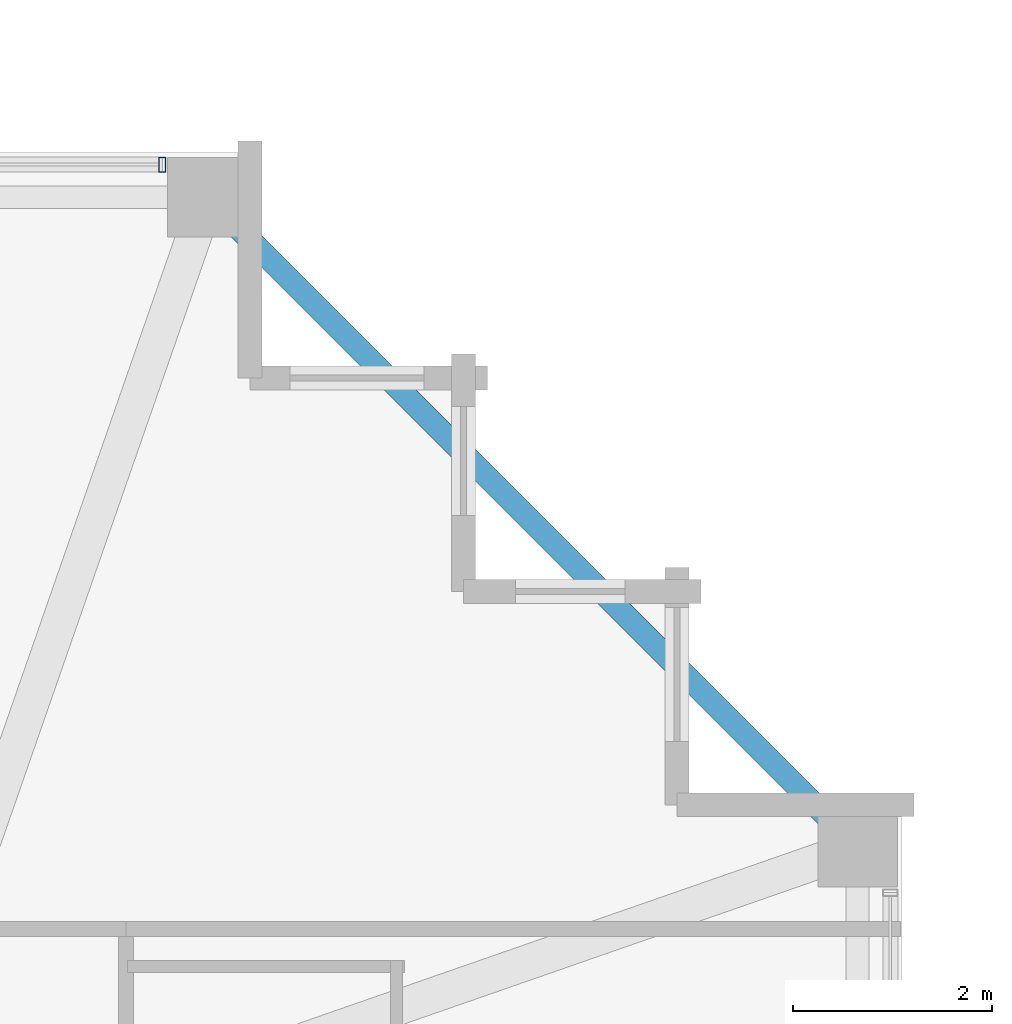
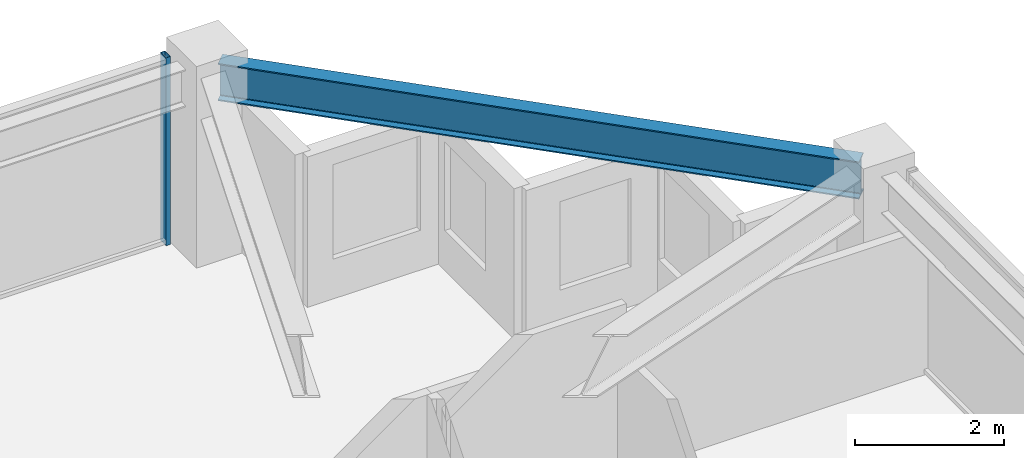
# One storey, part 25 of 38: 1 beam, 1 member, 1 element without a shape of its own.
"""IFC4 building model written with IfcOpenShell, lengths in metres."""

from ifc_helpers import new_model, si_unit, direction, frame, origin, origin_2d, place, context, subcontext, project, spatial, hollow_rectangle, i_section, extrude, material, material_profile, profile_set, type_object, element, aggregate, save


model = new_model("IFC4")

# Units and contexts
model_context = context("Model", 3, precision=1e-05, world=origin(), true_north=direction((0.0, 1.0)))
body_context = subcontext(model_context, "Body", "Model", "MODEL_VIEW")
ifc_project = project(units=[si_unit("LENGTHUNIT", "METRE"), si_unit("AREAUNIT", "SQUARE_METRE"), si_unit("VOLUMEUNIT", "CUBIC_METRE"), si_unit("PLANEANGLEUNIT", "RADIAN"), si_unit("MASSUNIT", "GRAM", prefix="KILO")], contexts=[model_context])

# Site, building, storey
site_placement = place(None, origin())
site = spatial("IfcSite", under=ifc_project, at=site_placement, CompositionType="ELEMENT")
building_placement = place(site_placement, origin())
building = spatial("IfcBuilding", under=site, at=building_placement, Name="Kolvaren Belvedere", CompositionType="ELEMENT")
storey_placement = place(building_placement, frame((0.0, 0.0, 206.39990234375)))
storey = spatial("IfcBuildingStorey", under=building, at=storey_placement, Name="L60", CompositionType="ELEMENT", Elevation=206.39990234375)

# Beam
ifc_material_1 = material(Name="Structural steel ASTM A992 Grade 50", Category="steel")
ifc_material_profile_1 = material_profile(ifc_material_1, i_section(OverallWidth=0.22900390625, OverallDepth=0.612060546875, WebThickness=0.011962890625, FlangeThickness=0.01953125, FilletRadius=0.01806640625, at=origin_2d()), Name="W24X84")
ifc_profile_set_1 = profile_set([ifc_material_profile_1], Name="Structural steel ASTM A992 Grade 50")
beam_type = type_object("IfcBeamType", Name="BM-SPAN-W24X84", PredefinedType="SPANDREL", material=ifc_profile_set_1)
beam_placement = place(storey_placement, frame((19.82275390625, 13.52734375, 2.774169921875), z_axis=(-0.707106781187, 0.707106781187, 0.0), x_axis=(-0.707106781187, -0.707106781187, 0.0)))
element("IfcBeam", 1, at=beam_placement, inside=storey, type_object=beam_type, Name="L60 Perimeter Spandrel E4-N4", PredefinedType="SPANDREL", context=body_context, shape_type="SweptSolid", body=[
    extrude(i_section(OverallWidth=0.22900390625, OverallDepth=0.612060546875, WebThickness=0.011962890625, FlangeThickness=0.01953125, FilletRadius=0.01806640625, at=origin_2d()), origin(), (0.0, 0.0, 1.0), 8.903076171875),
])

# Curtain wall, member
ifc_material_2 = material(Name="Anodised pale-metal aluminium AA 6063-T6", Category="aluminium")
curtain_wall_type = type_object("IfcCurtainWallType", Name="CW-Z5-HIGH", PredefinedType="NOTDEFINED", material=ifc_material_2)
curtain_wall_placement = place(storey_placement, origin())
curtain_wall = element("IfcCurtainWall", 2, at=curtain_wall_placement, inside=storey, type_object=curtain_wall_type, Name="L60 Unitised Curtain Wall FCW-L60-N2-B2", PredefinedType="NOTDEFINED")
ifc_material_3 = material(Name="Anodised pale-metal aluminium AA 6063-T6", Category="aluminium")
ifc_material_profile_2 = material_profile(ifc_material_3, hollow_rectangle(XDim=0.070068359375, YDim=0.14990234375, WallThickness=0.004150390625, at=origin_2d()), Name="ALU-MUL-150X70")
ifc_profile_set_2 = profile_set([ifc_material_profile_2], Name="Anodised pale-metal aluminium AA 6063-T6")
member_type = type_object("IfcMemberType", Name="CW-MUL-150", PredefinedType="MULLION", material=ifc_profile_set_2)
member_placement = place(storey_placement, frame((12.945068359375, 20.280029296875, 0.0), z_axis=(0.0, 0.0, 1.0), x_axis=(1.0, 0.0, 0.0)))
member = element("IfcMember", 3, at=member_placement, type_object=member_type, Name="FCW-L60-N2-B2 Unitised Mullion 3", PredefinedType="MULLION", context=body_context, shape_type="SweptSolid", body=[
    extrude(hollow_rectangle(XDim=0.070068359375, YDim=0.14990234375, WallThickness=0.004150390625, at=origin_2d()), origin(), (0.0, 0.0, 1.0), 3.080078125),
])
aggregate(curtain_wall, [member])

save(model, "model.ifc")
